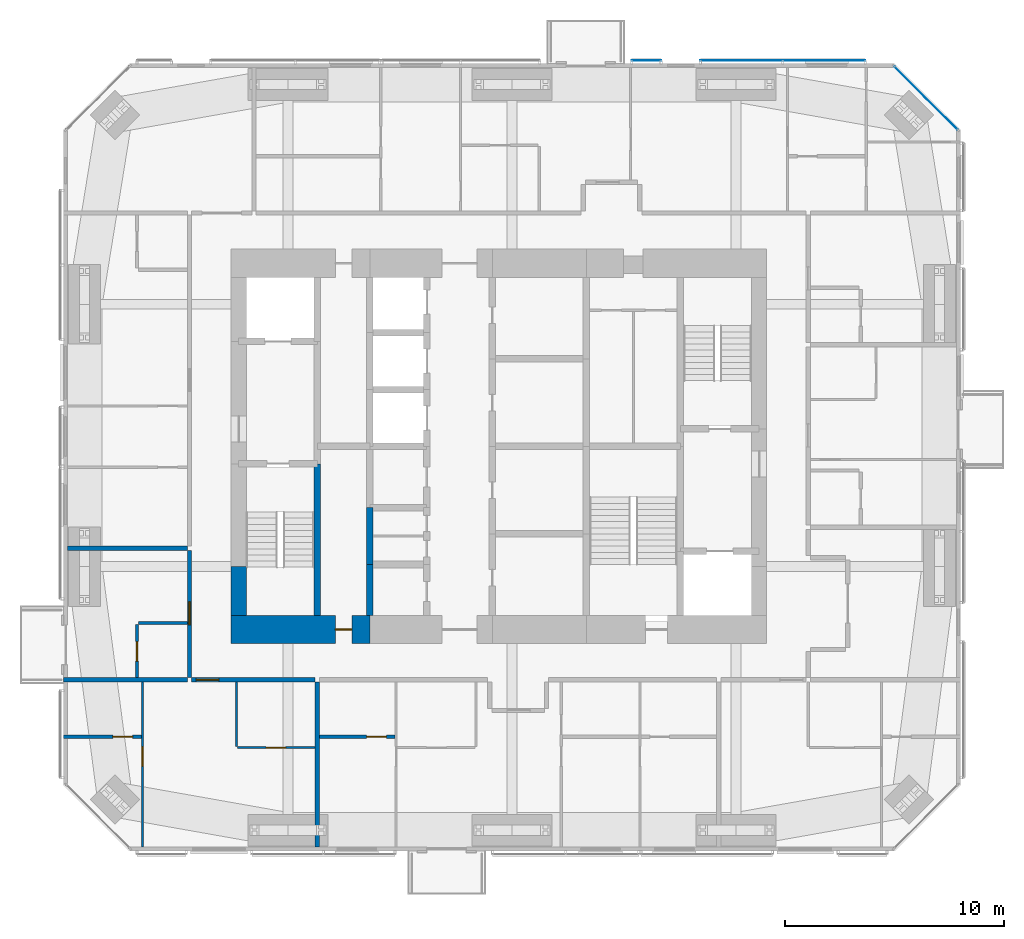
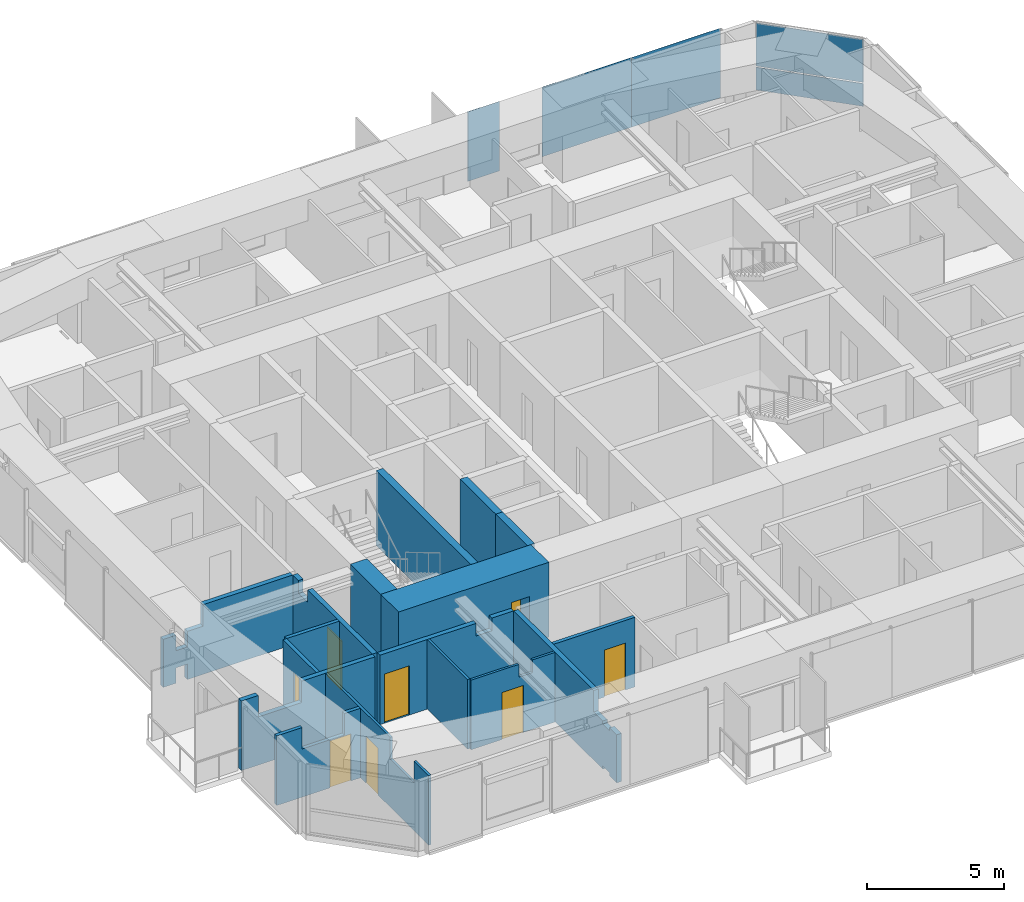
# One storey, part 16 of 23: 17 walls, 8 doors, 5 plates, 8 openings, 3 elements without a shape of their own.
"""IFC4 building model written with IfcOpenShell, lengths in metres."""

from ifc_helpers import new_model, si_unit, direction, frame, frame_2d, origin, origin_2d, place, context, subcontext, project, spatial, polyline, rectangle, outline, extrude, material, layer, layer_set, constituent, constituent_set, type_object, element, fill, aggregate, save


model = new_model("IFC4")

# Units and contexts
model_context = context("Model", 3, precision=1e-05, world=origin(), true_north=direction((0.0, 1.0)))
body_context = subcontext(model_context, "Body", "Model", "MODEL_VIEW")
ifc_project = project(units=[si_unit("LENGTHUNIT", "METRE"), si_unit("AREAUNIT", "SQUARE_METRE"), si_unit("VOLUMEUNIT", "CUBIC_METRE"), si_unit("PLANEANGLEUNIT", "RADIAN"), si_unit("MASSUNIT", "GRAM", prefix="KILO")], contexts=[model_context])

# Site, building, storey
site_placement = place(None, origin())
site = spatial("IfcSite", under=ifc_project, at=site_placement, CompositionType="ELEMENT")
building_placement = place(site_placement, origin())
building = spatial("IfcBuilding", under=site, at=building_placement, Name="Jalousie Tower", CompositionType="ELEMENT")
storey_placement = place(building_placement, frame((0.0, 0.0, 181.14990234375)))
storey = spatial("IfcBuildingStorey", under=building, at=storey_placement, Name="L49", CompositionType="ELEMENT", Elevation=181.14990234375)

# Curtain wall, plates
ifc_material_1 = material(Name="Aluminium curtain wall", Category="aluminium")
curtain_wall_type_1 = type_object("IfcCurtainWallType", Name="CORNER WINDOW WALL", PredefinedType="USERDEFINED", material=ifc_material_1)
curtain_wall_1_placement = place(storey_placement, origin())
curtain_wall_1 = element("IfcCurtainWall", 1, at=curtain_wall_1_placement, inside=storey, type_object=curtain_wall_type_1, Name="Corner Window Wall L49 4", ObjectType="CORNER WINDOW WALL", PredefinedType="USERDEFINED")
ifc_material_2 = material(Name="Laminated impact-rated spandrel glass", Category="glass")
ifc_layer_1 = layer(ifc_material_2, 0.028076171875)
ifc_layer_set_1 = layer_set([ifc_layer_1], Name="Laminated impact-rated spandrel glass")
plate_type_1 = type_object("IfcPlateType", Name="CORNER WINDOW WALL PANEL", PredefinedType="CURTAIN_PANEL", material=ifc_layer_set_1)
plate_1_placement = place(storey_placement, frame((51.4306640625, 34.4306640625, 0.06005859375), z_axis=(0.0, 0.0, 1.0), x_axis=(-0.707106781187, 0.707106781187, 0.0)))
plate_1 = element("IfcPlate", 2, at=plate_1_placement, type_object=plate_type_1, Name="CW-C panel 1.1", PredefinedType="CURTAIN_PANEL", context=body_context, shape_type="SweptSolid", body=[
    extrude(rectangle(XDim=4.071533203125, YDim=0.028076171875, at=origin_2d()), origin(), (0.0, 0.0, 1.0), 1.010009765625),
])
plate_2_placement = place(storey_placement, frame((51.4306640625, 34.4306640625, 1.130126953125), z_axis=(0.0, 0.0, 1.0), x_axis=(-0.707106781187, 0.707106781187, 0.0)))
plate_2 = element("IfcPlate", 3, at=plate_2_placement, type_object=plate_type_1, Name="CW-C panel 1.2", PredefinedType="CURTAIN_PANEL", context=body_context, shape_type="SweptSolid", body=[
    extrude(rectangle(XDim=4.071533203125, YDim=0.028076171875, at=origin_2d()), origin(), (0.0, 0.0, 1.0), 1.919921875),
])
aggregate(curtain_wall_1, [plate_1, plate_2])

ifc_material_3 = material(Name="Perforated aluminium sheet", Category="aluminium")
curtain_wall_type_2 = type_object("IfcCurtainWallType", Name="SOLAR SCREEN SS-1", PredefinedType="USERDEFINED", material=ifc_material_3)
curtain_wall_2_placement = place(storey_placement, origin())
curtain_wall_2 = element("IfcCurtainWall", 4, at=curtain_wall_2_placement, inside=storey, type_object=curtain_wall_type_2, Name="Solar screen L49", ObjectType="SOLAR SCREEN SS-1", PredefinedType="USERDEFINED")
ifc_material_4 = material(Name="Perforated aluminium sheet", Category="aluminium")
ifc_layer_2 = layer(ifc_material_4, 0.006103515625)
ifc_layer_set_2 = layer_set([ifc_layer_2], Name="Perforated aluminium sheet")
plate_type_2 = type_object("IfcPlateType", Name="SOLAR SCREEN SS-1 PANEL", PredefinedType="CURTAIN_PANEL", material=ifc_layer_set_2)
plate_3_placement = place(storey_placement, frame((46.76708984375, 36.150390625, 0.0), z_axis=(0.0, 0.0, 1.0), x_axis=(-1.0, 0.0, 0.0)))
plate_3 = element("IfcPlate", 5, at=plate_3_placement, type_object=plate_type_2, Name="SS1 perforated panel 1", PredefinedType="CURTAIN_PANEL", context=body_context, shape_type="SweptSolid", body=[
    extrude(rectangle(XDim=3.765625, YDim=0.006103515625, at=origin_2d()), origin(), (0.0, 0.0, 1.0), 3.110107421875),
])
plate_4_placement = place(storey_placement, frame((43.00146484375, 36.150390625, 0.0), z_axis=(0.0, 0.0, 1.0), x_axis=(-1.0, 0.0, 0.0)))
plate_4 = element("IfcPlate", 6, at=plate_4_placement, type_object=plate_type_2, Name="SS1 perforated panel 2", PredefinedType="CURTAIN_PANEL", context=body_context, shape_type="SweptSolid", body=[
    extrude(rectangle(XDim=3.765625, YDim=0.006103515625, at=origin_2d()), origin(), (0.0, 0.0, 1.0), 3.110107421875),
])
aggregate(curtain_wall_2, [plate_3, plate_4])

# Curtain wall, plate
curtain_wall_3_placement = place(storey_placement, origin())
curtain_wall_3 = element("IfcCurtainWall", 7, at=curtain_wall_3_placement, inside=storey, type_object=curtain_wall_type_2, Name="Solar screen L49", ObjectType="SOLAR SCREEN SS-1", PredefinedType="USERDEFINED")
plate_5_placement = place(storey_placement, frame((38.64697265625, 36.150390625, 0.0), z_axis=(0.0, 0.0, 1.0), x_axis=(-1.0, 0.0, 0.0)))
plate_5 = element("IfcPlate", 8, at=plate_5_placement, type_object=plate_type_2, Name="SS1 perforated panel 1", PredefinedType="CURTAIN_PANEL", context=body_context, shape_type="SweptSolid", body=[
    extrude(rectangle(XDim=1.34375, YDim=0.006103515625, at=origin_2d()), origin(), (0.0, 0.0, 1.0), 3.110107421875),
])
aggregate(curtain_wall_3, [plate_5])

# Wall, opening, door
ifc_material_5 = material(Name="Concrete block ASTM C90", Category="concrete")
ifc_constituent_1 = constituent(ifc_material_5, Name="Body")
ifc_material_6 = material(Name="Render")
ifc_constituent_2 = constituent(ifc_material_6, Name="Finish")
ifc_constituent_set_1 = constituent_set(constituents=[ifc_constituent_1, ifc_constituent_2])
wall_type_1 = type_object("IfcWallType", Name="BATHROOM WALL 150", PredefinedType="PLUMBINGWALL", material=ifc_constituent_set_1)
wall_1_placement = place(storey_placement, frame((12.0, 5.22509765625, 0.0), z_axis=(0.0, 0.0, 1.0), x_axis=(1.0, 0.0, 0.0)))
wall_1 = element("IfcWall", 9, at=wall_1_placement, inside=storey, type_object=wall_type_1, Name="Bathroom Wall 150 L49", PredefinedType="PLUMBINGWALL", context=body_context, shape_type="SweptSolid", body=[
    extrude(outline(polyline([(0.0, 0.0), (3.550048828125, 0.0), (3.550048828125, 3.110107421875), (2.86328125, 3.110107421875), (2.86328125, 2.150146484375), (1.078125, 2.150146484375), (1.078125, 3.110107421875), (0.0, 3.110107421875), (0.0, 0.0)])), frame((0.0, 0.074951171875, 0.0), z_axis=(0.0, -1.0, 0.0), x_axis=(1.0, 0.0, 0.0)), (0.0, 0.0, 1.0), 0.14990234375),
])
opening_1_placement = place(wall_1_placement, frame((2.25, 0.0, 0.0)))
opening_1 = element("IfcOpeningElement", 10, at=opening_1_placement, cuts=wall_1, Name="Opening D3", PredefinedType="OPENING", context=body_context, shape_type="SweptSolid", body=[
    extrude(rectangle(XDim=0.89990234375, YDim=2.10009765625, at=frame_2d((0.449951171875, 1.050048828125))), frame((0.0, 0.0849609375, 0.0), z_axis=(0.0, -1.0, 0.0), x_axis=(1.0, 0.0, 0.0)), (0.0, 0.0, 1.0), 0.169921875),
])
ifc_material_7 = material(Name="Timber door", Category="wood")
door_type_1 = type_object("IfcDoorType", Name="BATHROOM DOOR 900", OperationType="SINGLE_SWING_LEFT", PredefinedType="DOOR", material=ifc_material_7)
door_1_placement = place(opening_1_placement, origin())
door_1 = element("IfcDoor", 11, at=door_1_placement, inside=storey, type_object=door_type_1, Name="Apartment 4901 bedroom 1 bathroom door", OperationType="SINGLE_SWING_RIGHT", OverallHeight=2.10009765625, OverallWidth=0.89990234375, PredefinedType="DOOR", context=body_context, shape_type="SweptSolid", body=[
    extrude(rectangle(XDim=0.89990234375, YDim=2.10009765625, at=frame_2d((0.449951171875, 1.050048828125))), frame((0.0, 0.02490234375, 0.0), z_axis=(0.0, -1.0, 0.0), x_axis=(1.0, 0.0, 0.0)), (0.0, 0.0, 1.0), 0.050048828125),
])
fill(opening_1, door_1)

wall_2_placement = place(storey_placement, frame((23.699951171875, 5.22509765625, 0.0), z_axis=(0.0, 0.0, 1.0), x_axis=(1.0, 0.0, 0.0)))
wall_2 = element("IfcWall", 12, at=wall_2_placement, inside=storey, type_object=wall_type_1, Name="Bathroom Wall 150 L49", PredefinedType="PLUMBINGWALL", context=body_context, shape_type="SweptSolid", body=[
    extrude(rectangle(XDim=3.449951171875, YDim=0.14990234375, at=frame_2d((1.72509765625, 0.0))), origin(), (0.0, 0.0, 1.0), 3.110107421875),
])
opening_2_placement = place(wall_2_placement, frame((2.14990234375, 0.0, 0.0)))
opening_2 = element("IfcOpeningElement", 13, at=opening_2_placement, cuts=wall_2, Name="Opening D3", PredefinedType="OPENING", context=body_context, shape_type="SweptSolid", body=[
    extrude(rectangle(XDim=0.89990234375, YDim=2.10009765625, at=frame_2d((0.449951171875, 1.050048828125))), frame((0.0, 0.0849609375, 0.0), z_axis=(0.0, -1.0, 0.0), x_axis=(1.0, 0.0, 0.0)), (0.0, 0.0, 1.0), 0.169921875),
])
door_2_placement = place(opening_2_placement, origin())
door_2 = element("IfcDoor", 14, at=door_2_placement, inside=storey, type_object=door_type_1, Name="Apartment 4902 bedroom 1 bathroom door", OperationType="SINGLE_SWING_RIGHT", OverallHeight=2.10009765625, OverallWidth=0.89990234375, PredefinedType="DOOR", context=body_context, shape_type="SweptSolid", body=[
    extrude(rectangle(XDim=0.89990234375, YDim=2.10009765625, at=frame_2d((0.449951171875, 1.050048828125))), frame((0.0, 0.02490234375, 0.0), z_axis=(0.0, -1.0, 0.0), x_axis=(1.0, 0.0, 0.0)), (0.0, 0.0, 1.0), 0.050048828125),
])
fill(opening_2, door_2)

wall_3_placement = place(storey_placement, frame((15.35009765625, 7.925048828125, 0.0), z_axis=(0.0, 0.0, 1.0), x_axis=(0.0, 1.0, 0.0)))
wall_3 = element("IfcWall", 15, at=wall_3_placement, inside=storey, type_object=wall_type_1, Name="Bathroom Wall 150 L49", PredefinedType="PLUMBINGWALL", context=body_context, shape_type="SweptSolid", body=[
    extrude(rectangle(XDim=2.425048828125, YDim=0.14990234375, at=frame_2d((1.21240234375, 0.0))), origin(), (0.0, 0.0, 1.0), 3.110107421875),
])
opening_3_placement = place(wall_3_placement, frame((0.75, 0.0, 0.0)))
opening_3 = element("IfcOpeningElement", 16, at=opening_3_placement, cuts=wall_3, Name="Opening D3", PredefinedType="OPENING", context=body_context, shape_type="SweptSolid", body=[
    extrude(rectangle(XDim=0.89990234375, YDim=2.10009765625, at=frame_2d((0.449951171875, 1.050048828125))), frame((0.0, 0.0849609375, 0.0), z_axis=(0.0, -1.0, 0.0), x_axis=(1.0, 0.0, 0.0)), (0.0, 0.0, 1.0), 0.169921875),
])
door_3_placement = place(opening_3_placement, frame((0.89990234375, 0.0, 0.0), z_axis=(0.0, 0.0, 1.0), x_axis=(-1.0, 0.0, 0.0)))
door_3 = element("IfcDoor", 17, at=door_3_placement, inside=storey, type_object=door_type_1, Name="Apartment 4905 bathroom door", OperationType="SINGLE_SWING_RIGHT", OverallHeight=2.10009765625, OverallWidth=0.89990234375, PredefinedType="DOOR", context=body_context, shape_type="SweptSolid", body=[
    extrude(rectangle(XDim=0.89990234375, YDim=2.10009765625, at=frame_2d((0.449951171875, 1.050048828125))), frame((0.0, 0.02490234375, 0.0), z_axis=(0.0, -1.0, 0.0), x_axis=(1.0, 0.0, 0.0)), (0.0, 0.0, 1.0), 0.050048828125),
])
fill(opening_3, door_3)

# Wall
wall_4_placement = place(storey_placement, frame((15.425048828125, 10.425048828125, 0.0), z_axis=(0.0, 0.0, 1.0), x_axis=(1.0, 0.0, 0.0)))
element("IfcWall", 18, at=wall_4_placement, inside=storey, type_object=wall_type_1, Name="Bathroom Wall 150 L49", PredefinedType="PLUMBINGWALL", context=body_context, shape_type="SweptSolid", body=[
    extrude(rectangle(XDim=2.224853515625, YDim=0.14990234375, at=frame_2d((1.1123046875, 0.0))), origin(), (0.0, 0.0, 1.0), 3.110107421875),
])

# Wall, opening, door
ifc_material_8 = material(Name="Concrete f'c 120 MPa", Category="concrete")
ifc_layer_3 = layer(ifc_material_8, 1.300048828125)
ifc_layer_set_3 = layer_set([ifc_layer_3], Name="Concrete f'c 120 MPa")
wall_type_2 = type_object("IfcWallType", Name="CORE WALL 1300", PredefinedType="SHEAR", material=ifc_layer_set_3)
wall_5_placement = place(storey_placement, frame((19.64990234375, 10.125, 0.0), z_axis=(0.0, 0.0, 1.0), x_axis=(1.0, 0.0, 0.0)))
wall_5 = element("IfcWall", 19, at=wall_5_placement, inside=storey, type_object=wall_type_2, Name="Core wall SA L49", PredefinedType="SHEAR", context=body_context, shape_type="SweptSolid", body=[
    extrude(rectangle(XDim=6.35009765625, YDim=1.300048828125, at=frame_2d((3.175048828125, 0.0))), origin(), (0.0, 0.0, 1.0), 3.35009765625),
])
opening_4_placement = place(wall_5_placement, frame((4.77490234375, 0.0, 0.0)))
opening_4 = element("IfcOpeningElement", 20, at=opening_4_placement, cuts=wall_5, Name="Opening D16", PredefinedType="OPENING", context=body_context, shape_type="SweptSolid", body=[
    extrude(rectangle(XDim=0.75, YDim=2.10009765625, at=frame_2d((0.375, 1.050048828125))), frame((0.0, 0.659912109375, 0.0), z_axis=(0.0, -1.0, 0.0), x_axis=(1.0, 0.0, 0.0)), (0.0, 0.0, 1.0), 1.320068359375),
])
ifc_material_9 = material(Name="Steel fire door", Category="steel")
door_type_2 = type_object("IfcDoorType", Name="RISER DOOR 750", OperationType="SINGLE_SWING_LEFT", PredefinedType="DOOR", material=ifc_material_9)
door_4_placement = place(opening_4_placement, origin())
door_4 = element("IfcDoor", 21, at=door_4_placement, inside=storey, type_object=door_type_2, Name="South riser door", OperationType="SINGLE_SWING_LEFT", OverallHeight=2.10009765625, OverallWidth=0.75, PredefinedType="DOOR", context=body_context, shape_type="SweptSolid", body=[
    extrude(rectangle(XDim=0.75, YDim=2.10009765625, at=frame_2d((0.375, 1.050048828125))), frame((0.0, 0.02490234375, 0.0), z_axis=(0.0, -1.0, 0.0), x_axis=(1.0, 0.0, 0.0)), (0.0, 0.0, 1.0), 0.050048828125),
])
fill(opening_4, door_4)

# Walls
ifc_material_10 = material(Name="Concrete f'c 120 MPa", Category="concrete")
ifc_layer_4 = layer(ifc_material_10, 0.300048828125)
ifc_layer_set_4 = layer_set([ifc_layer_4], Name="Concrete f'c 120 MPa")
wall_type_3 = type_object("IfcWallType", Name="CORE WALL 300", PredefinedType="SHEAR", material=ifc_layer_set_4)
wall_6_placement = place(storey_placement, frame((23.60009765625, 10.77490234375, 0.0), z_axis=(0.0, 0.0, 1.0), x_axis=(0.0, 1.0, 0.0)))
element("IfcWall", 22, at=wall_6_placement, inside=storey, type_object=wall_type_3, Name="Core wall X23.6A L49", PredefinedType="SHEAR", context=body_context, shape_type="SweptSolid", body=[
    extrude(rectangle(XDim=6.925048828125, YDim=0.300048828125, at=frame_2d((3.46240234375, 0.0))), origin(), (0.0, 0.0, 1.0), 3.35009765625),
])
wall_7_placement = place(storey_placement, frame((26.0, 10.77490234375, 0.0), z_axis=(0.0, 0.0, 1.0), x_axis=(0.0, 1.0, 0.0)))
element("IfcWall", 23, at=wall_7_placement, inside=storey, type_object=wall_type_3, Name="Core wall X26A L49", PredefinedType="SHEAR", context=body_context, shape_type="SweptSolid", body=[
    extrude(rectangle(XDim=2.3251953125, YDim=0.300048828125, at=frame_2d((1.16259765625, 0.0))), origin(), (0.0, 0.0, 1.0), 3.35009765625),
])
wall_8_placement = place(storey_placement, frame((26.0, 13.10009765625, 0.0), z_axis=(0.0, 0.0, 1.0), x_axis=(0.0, 1.0, 0.0)))
element("IfcWall", 24, at=wall_8_placement, inside=storey, type_object=wall_type_3, Name="Core wall X26B L49", PredefinedType="SHEAR", context=body_context, shape_type="SweptSolid", body=[
    extrude(rectangle(XDim=2.599853515625, YDim=0.300048828125, at=frame_2d((1.2998046875, 0.0))), origin(), (0.0, 0.0, 1.0), 3.35009765625),
])
ifc_material_11 = material(Name="Concrete f'c 120 MPa", Category="concrete")
ifc_layer_5 = layer(ifc_material_11, 0.699951171875)
ifc_layer_set_5 = layer_set([ifc_layer_5], Name="Concrete f'c 120 MPa")
wall_type_4 = type_object("IfcWallType", Name="CORE WALL 700", PredefinedType="SHEAR", material=ifc_layer_set_5)
wall_9_placement = place(storey_placement, frame((20.0, 13.0, 0.0), z_axis=(0.0, 0.0, 1.0), x_axis=(0.0, -1.0, 0.0)))
element("IfcWall", 25, at=wall_9_placement, inside=storey, type_object=wall_type_4, Name="Core wall WD L49", PredefinedType="SHEAR", context=body_context, shape_type="SweptSolid", body=[
    extrude(rectangle(XDim=2.22509765625, YDim=0.699951171875, at=frame_2d((1.112548828125, 0.0))), origin(), (0.0, 0.0, 1.0), 3.35009765625),
])

# Wall, opening, door
ifc_material_12 = material(Name="Concrete block ASTM C90", Category="concrete")
ifc_constituent_3 = constituent(ifc_material_12, Name="Body")
ifc_material_13 = material(Name="Render")
ifc_constituent_4 = constituent(ifc_material_13, Name="Finish")
ifc_constituent_set_2 = constituent_set(constituents=[ifc_constituent_3, ifc_constituent_4])
wall_type_5 = type_object("IfcWallType", Name="CORRIDOR WALL 200", PredefinedType="PARTITIONING", material=ifc_constituent_set_2)
wall_10_placement = place(storey_placement, frame((17.85009765625, 7.824951171875, 0.0), z_axis=(0.0, 0.0, 1.0), x_axis=(1.0, 0.0, 0.0)))
wall_10 = element("IfcWall", 26, at=wall_10_placement, inside=storey, type_object=wall_type_5, Name="Corridor Wall 200 L49", PredefinedType="PARTITIONING", context=body_context, shape_type="SweptSolid", body=[
    extrude(outline(polyline([(0.0, 0.0), (5.64990234375, 0.0), (5.64990234375, 3.110107421875), (4.7373046875, 3.110107421875), (4.7373046875, 2.541015625), (4.0625, 2.541015625), (4.0625, 3.110107421875), (0.0, 3.110107421875), (0.0, 0.0)])), frame((0.0, 0.10009765625, 0.0), z_axis=(0.0, -1.0, 0.0), x_axis=(1.0, 0.0, 0.0)), (0.0, 0.0, 1.0), 0.199951171875),
])
opening_5_placement = place(wall_10_placement, frame((0.199951171875, 0.0, 0.0)))
opening_5 = element("IfcOpeningElement", 27, at=opening_5_placement, cuts=wall_10, Name="Opening D1", PredefinedType="OPENING", context=body_context, shape_type="SweptSolid", body=[
    extrude(rectangle(XDim=1.050048828125, YDim=2.199951171875, at=frame_2d((0.52490234375, 1.10009765625))), frame((0.0, 0.10986328125, 0.0), z_axis=(0.0, -1.0, 0.0), x_axis=(1.0, 0.0, 0.0)), (0.0, 0.0, 1.0), 0.219970703125),
])
ifc_material_14 = material(Name="Timber fire door", Category="wood")
door_type_3 = type_object("IfcDoorType", Name="APARTMENT ENTRANCE DOOR 1050", OperationType="SINGLE_SWING_LEFT", PredefinedType="DOOR", material=ifc_material_14)
door_5_placement = place(opening_5_placement, frame((1.050048828125, 0.0, 0.0), z_axis=(0.0, 0.0, 1.0), x_axis=(-1.0, 0.0, 0.0)))
door_5 = element("IfcDoor", 28, at=door_5_placement, inside=storey, type_object=door_type_3, Name="Apartment 4901 entrance", OperationType="SINGLE_SWING_LEFT", OverallHeight=2.199951171875, OverallWidth=1.050048828125, PredefinedType="DOOR", context=body_context, shape_type="SweptSolid", body=[
    extrude(rectangle(XDim=1.050048828125, YDim=2.199951171875, at=frame_2d((0.52490234375, 1.10009765625))), frame((0.0, 0.02490234375, 0.0), z_axis=(0.0, -1.0, 0.0), x_axis=(1.0, 0.0, 0.0)), (0.0, 0.0, 1.0), 0.050048828125),
])
fill(opening_5, door_5)

wall_11_placement = place(storey_placement, frame((17.75, 7.925048828125, 0.0), z_axis=(0.0, 0.0, 1.0), x_axis=(0.0, 1.0, 0.0)))
wall_11 = element("IfcWall", 29, at=wall_11_placement, inside=storey, type_object=wall_type_5, Name="Corridor Wall 200 L49", PredefinedType="PARTITIONING", context=body_context, shape_type="SweptSolid", body=[
    extrude(outline(polyline([(0.0, 0.0), (5.824951171875, 0.0), (5.824951171875, 3.110107421875), (5.412353515625, 3.110107421875), (5.412353515625, 2.541015625), (4.73779296875, 2.541015625), (4.73779296875, 3.110107421875), (0.0, 3.110107421875), (0.0, 0.0)])), frame((0.0, 0.10009765625, 0.0), z_axis=(0.0, -1.0, 0.0), x_axis=(1.0, 0.0, 0.0)), (0.0, 0.0, 1.0), 0.199951171875),
])
opening_6_placement = place(wall_11_placement, frame((2.41259765625, 0.0, 0.0)))
opening_6 = element("IfcOpeningElement", 30, at=opening_6_placement, cuts=wall_11, Name="Opening D1", PredefinedType="OPENING", context=body_context, shape_type="SweptSolid", body=[
    extrude(rectangle(XDim=1.050048828125, YDim=2.199951171875, at=frame_2d((0.52490234375, 1.10009765625))), frame((0.0, 0.10986328125, 0.0), z_axis=(0.0, -1.0, 0.0), x_axis=(1.0, 0.0, 0.0)), (0.0, 0.0, 1.0), 0.219970703125),
])
door_6_placement = place(opening_6_placement, origin())
door_6 = element("IfcDoor", 31, at=door_6_placement, inside=storey, type_object=door_type_3, Name="Apartment 4905 entrance", OperationType="SINGLE_SWING_RIGHT", OverallHeight=2.199951171875, OverallWidth=1.050048828125, PredefinedType="DOOR", context=body_context, shape_type="SweptSolid", body=[
    extrude(rectangle(XDim=1.050048828125, YDim=2.199951171875, at=frame_2d((0.52490234375, 1.10009765625))), frame((0.0, 0.02490234375, 0.0), z_axis=(0.0, -1.0, 0.0), x_axis=(1.0, 0.0, 0.0)), (0.0, 0.0, 1.0), 0.050048828125),
])
fill(opening_6, door_6)

ifc_material_15 = material(Name="Gypsum board", Category="gypsum")
ifc_constituent_5 = constituent(ifc_material_15, Name="Body")
ifc_material_16 = material(Name="Light-gauge steel studs ASTM A653 SS Grade 33", Category="steel")
ifc_constituent_6 = constituent(ifc_material_16, Name="Framing")
ifc_constituent_set_3 = constituent_set(constituents=[ifc_constituent_5, ifc_constituent_6])
wall_type_6 = type_object("IfcWallType", Name="PARTITION 100", PredefinedType="PARTITIONING", material=ifc_constituent_set_3)
wall_12_placement = place(storey_placement, frame((15.60009765625, 0.175048828125, 0.0), z_axis=(0.0, 0.0, 1.0), x_axis=(0.0, 1.0, 0.0)))
wall_12 = element("IfcWall", 32, at=wall_12_placement, inside=storey, type_object=wall_type_6, Name="Partition 100 L49", PredefinedType="PARTITIONING", context=body_context, shape_type="SweptSolid", body=[
    extrude(outline(polyline([(0.0, 0.0), (7.550048828125, 0.0), (7.550048828125, 3.110107421875), (2.825439453125, 3.110107421875), (2.825439453125, 2.150146484375), (1.07861328125, 2.150146484375), (1.07861328125, 3.110107421875), (0.0, 3.110107421875), (0.0, 0.0)])), frame((0.0, 0.050048828125, 0.0), z_axis=(0.0, -1.0, 0.0), x_axis=(1.0, 0.0, 0.0)), (0.0, 0.0, 1.0), 0.10009765625),
])
opening_7_placement = place(wall_12_placement, frame((3.699951171875, 0.0, 0.0)))
opening_7 = element("IfcOpeningElement", 33, at=opening_7_placement, cuts=wall_12, Name="Opening D2", PredefinedType="OPENING", context=body_context, shape_type="SweptSolid", body=[
    extrude(rectangle(XDim=0.89990234375, YDim=2.10009765625, at=frame_2d((0.449951171875, 1.050048828125))), frame((0.0, 0.06005859375, 0.0), z_axis=(0.0, -1.0, 0.0), x_axis=(1.0, 0.0, 0.0)), (0.0, 0.0, 1.0), 0.1201171875),
])
ifc_material_17 = material(Name="Timber door", Category="wood")
door_type_4 = type_object("IfcDoorType", Name="BEDROOM DOOR 900", OperationType="SINGLE_SWING_LEFT", PredefinedType="DOOR", material=ifc_material_17)
door_7_placement = place(opening_7_placement, origin())
door_7 = element("IfcDoor", 34, at=door_7_placement, inside=storey, type_object=door_type_4, Name="Apartment 4901 bedroom 1 door", OperationType="SINGLE_SWING_RIGHT", OverallHeight=2.10009765625, OverallWidth=0.89990234375, PredefinedType="DOOR", context=body_context, shape_type="SweptSolid", body=[
    extrude(rectangle(XDim=0.89990234375, YDim=2.10009765625, at=frame_2d((0.449951171875, 1.050048828125))), frame((0.0, 0.02490234375, 0.0), z_axis=(0.0, -1.0, 0.0), x_axis=(1.0, 0.0, 0.0)), (0.0, 0.0, 1.0), 0.050048828125),
])
fill(opening_7, door_7)

wall_13_placement = place(storey_placement, frame((19.949951171875, 4.72509765625, 0.0), z_axis=(0.0, 0.0, 1.0), x_axis=(1.0, 0.0, 0.0)))
wall_13 = element("IfcWall", 35, at=wall_13_placement, inside=storey, type_object=wall_type_6, Name="Partition 100 L49", PredefinedType="PARTITIONING", context=body_context, shape_type="SweptSolid", body=[
    extrude(outline(polyline([(0.0, 0.0), (3.550048828125, 0.0), (3.550048828125, 3.110107421875), (2.58740234375, 3.110107421875), (2.58740234375, 2.541015625), (2.0126953125, 2.541015625), (2.0126953125, 3.110107421875), (0.0, 3.110107421875), (0.0, 0.0)])), frame((0.0, 0.050048828125, 0.0), z_axis=(0.0, -1.0, 0.0), x_axis=(1.0, 0.0, 0.0)), (0.0, 0.0, 1.0), 0.10009765625),
])
opening_8_placement = place(wall_13_placement, frame((1.300048828125, 0.0, 0.0)))
opening_8 = element("IfcOpeningElement", 36, at=opening_8_placement, cuts=wall_13, Name="Opening D7", PredefinedType="OPENING", context=body_context, shape_type="SweptSolid", body=[
    extrude(rectangle(XDim=0.89990234375, YDim=2.10009765625, at=frame_2d((0.449951171875, 1.050048828125))), frame((0.0, 0.06005859375, 0.0), z_axis=(0.0, -1.0, 0.0), x_axis=(1.0, 0.0, 0.0)), (0.0, 0.0, 1.0), 0.1201171875),
])
ifc_material_18 = material(Name="Timber door", Category="wood")
door_type_5 = type_object("IfcDoorType", Name="INTERNAL DOOR 900", OperationType="SINGLE_SWING_LEFT", PredefinedType="DOOR", material=ifc_material_18)
door_8_placement = place(opening_8_placement, frame((0.89990234375, 0.0, 0.0), z_axis=(0.0, 0.0, 1.0), x_axis=(-1.0, 0.0, 0.0)))
door_8 = element("IfcDoor", 37, at=door_8_placement, inside=storey, type_object=door_type_5, Name="Apartment 4901 kitchen door", OperationType="SINGLE_SWING_LEFT", OverallHeight=2.10009765625, OverallWidth=0.89990234375, PredefinedType="DOOR", context=body_context, shape_type="SweptSolid", body=[
    extrude(rectangle(XDim=0.89990234375, YDim=2.10009765625, at=frame_2d((0.449951171875, 1.050048828125))), frame((0.0, 0.02490234375, 0.0), z_axis=(0.0, -1.0, 0.0), x_axis=(1.0, 0.0, 0.0)), (0.0, 0.0, 1.0), 0.050048828125),
])
fill(opening_8, door_8)

# Walls
wall_14_placement = place(storey_placement, frame((19.89990234375, 4.77490234375, 0.0), z_axis=(0.0, 0.0, 1.0), x_axis=(0.0, 1.0, 0.0)))
element("IfcWall", 38, at=wall_14_placement, inside=storey, type_object=wall_type_6, Name="Partition 100 L49", PredefinedType="PARTITIONING", context=body_context, shape_type="SweptSolid", body=[
    extrude(rectangle(XDim=2.9501953125, YDim=0.10009765625, at=frame_2d((1.47509765625, 0.0))), origin(), (0.0, 0.0, 1.0), 3.110107421875),
])
ifc_material_19 = material(Name="Concrete block ASTM C90", Category="concrete")
ifc_constituent_7 = constituent(ifc_material_19, Name="Body")
ifc_material_20 = material(Name="Render")
ifc_constituent_8 = constituent(ifc_material_20, Name="Finish")
ifc_constituent_set_4 = constituent_set(constituents=[ifc_constituent_7, ifc_constituent_8])
wall_type_7 = type_object("IfcWallType", Name="PARTY WALL 200", PredefinedType="PARTITIONING", material=ifc_constituent_set_4)
wall_15_placement = place(storey_placement, frame((23.60009765625, 0.175048828125, 0.0), z_axis=(0.0, 0.0, 1.0), x_axis=(0.0, 1.0, 0.0)))
element("IfcWall", 39, at=wall_15_placement, inside=storey, type_object=wall_type_7, Name="Party Wall 200 L49", PredefinedType="PARTITIONING", context=body_context, shape_type="SweptSolid", body=[
    extrude(outline(polyline([(0.52880859375, 2.150146484375), (0.0, 2.150146484375), (0.0, 0.0), (0.52880859375, 0.0), (0.52880859375, 0.14208984375), (1.021240234375, 0.14208984375), (1.021240234375, 0.0), (7.550048828125, 0.0), (7.550048828125, 3.110107421875), (1.68505859375, 3.110107421875), (1.68505859375, 2.150146484375), (1.021240234375, 2.150146484375), (1.021240234375, 2.008056640625), (0.52880859375, 2.008056640625), (0.52880859375, 2.150146484375)])), frame((0.0, 0.10009765625, 0.0), z_axis=(0.0, -1.0, 0.0), x_axis=(1.0, 0.0, 0.0)), (0.0, 0.0, 1.0), 0.199951171875),
])
wall_16_placement = place(storey_placement, frame((12.0, 7.824951171875, 0.0), z_axis=(0.0, 0.0, 1.0), x_axis=(1.0, 0.0, 0.0)))
element("IfcWall", 40, at=wall_16_placement, inside=storey, type_object=wall_type_7, Name="Party Wall 200 L49", PredefinedType="PARTITIONING", context=body_context, shape_type="SweptSolid", body=[
    extrude(outline(polyline([(0.0, 0.0), (5.64990234375, 0.0), (5.64990234375, 3.110107421875), (2.54736328125, 3.110107421875), (2.54736328125, 2.150146484375), (0.711669921875, 2.150146484375), (0.711669921875, 3.110107421875), (0.0, 3.110107421875), (0.0, 0.0)])), frame((0.0, 0.10009765625, 0.0), z_axis=(0.0, -1.0, 0.0), x_axis=(1.0, 0.0, 0.0)), (0.0, 0.0, 1.0), 0.199951171875),
])
wall_17_placement = place(storey_placement, frame((12.175048828125, 13.85009765625, 0.0), z_axis=(0.0, 0.0, 1.0), x_axis=(1.0, 0.0, 0.0)))
element("IfcWall", 41, at=wall_17_placement, inside=storey, type_object=wall_type_7, Name="Party Wall 200 L49", PredefinedType="PARTITIONING", context=body_context, shape_type="SweptSolid", body=[
    extrude(outline(polyline([(0.52880859375, 2.150146484375), (0.0, 2.150146484375), (0.0, 0.0), (0.52880859375, 0.0), (0.52880859375, 0.69140625), (1.021240234375, 0.69140625), (1.021240234375, 0.0), (5.47509765625, 0.0), (5.47509765625, 3.110107421875), (1.68505859375, 3.110107421875), (1.68505859375, 2.150146484375), (1.021240234375, 2.150146484375), (1.021240234375, 1.458740234375), (0.52880859375, 1.458740234375), (0.52880859375, 2.150146484375)])), frame((0.0, 0.10009765625, 0.0), z_axis=(0.0, -1.0, 0.0), x_axis=(1.0, 0.0, 0.0)), (0.0, 0.0, 1.0), 0.199951171875),
])

save(model, "model.ifc")
